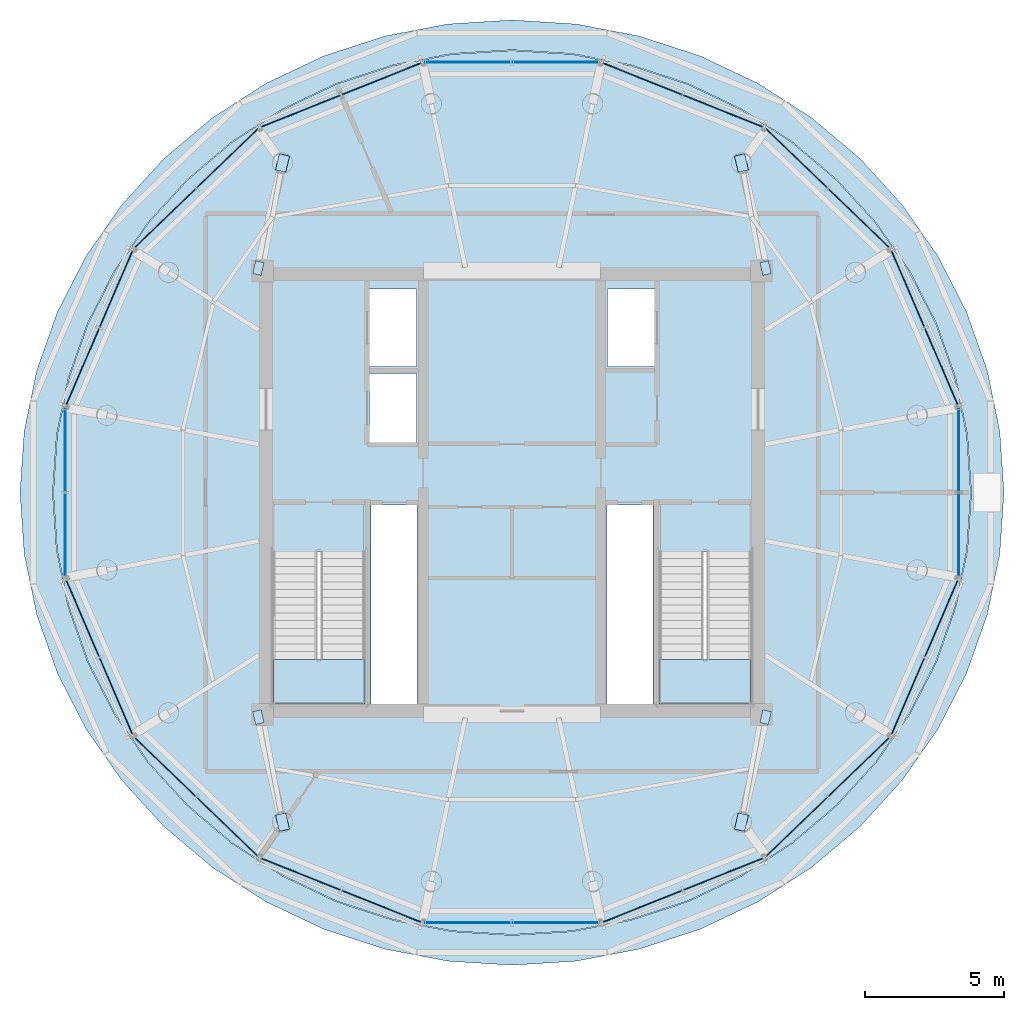
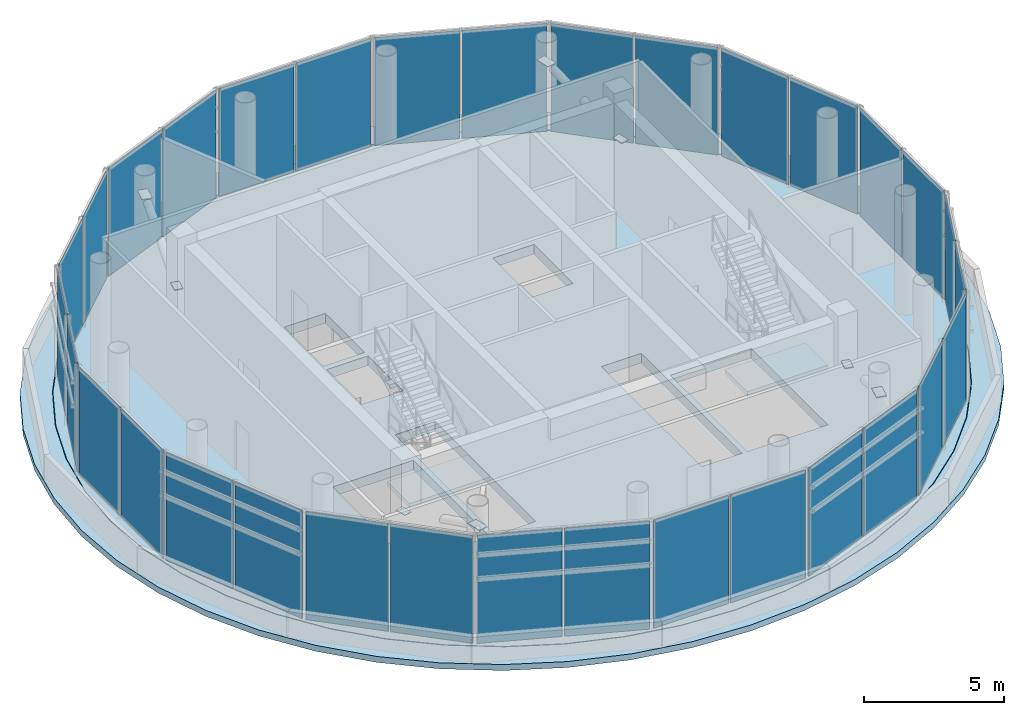
# One storey, part 9 of 14: 40 plates, 4 slabs, 18 elements without a shape of their own.
"""IFC4 building model written with IfcOpenShell, lengths in metres."""

from ifc_helpers import new_model, si_unit, direction, frame, origin, origin_2d, place, context, subcontext, project, spatial, polyline, rectangle, outline, extrude, source, transform, mapped, material, layer, layer_set, type_object, element, aggregate, save


model = new_model("IFC4")

# Units and contexts
model_context = context("Model", 3, precision=1e-05, world=origin(), true_north=direction((-0.2419218956, 0.970295726276)))
body_context = subcontext(model_context, "Body", "Model", "MODEL_VIEW")
ifc_project = project(units=[si_unit("LENGTHUNIT", "METRE"), si_unit("AREAUNIT", "SQUARE_METRE"), si_unit("VOLUMEUNIT", "CUBIC_METRE"), si_unit("PLANEANGLEUNIT", "RADIAN"), si_unit("MASSUNIT", "GRAM", prefix="KILO")], contexts=[model_context])

# Site, building, storey
site_placement = place(None, origin())
site = spatial("IfcSite", under=ifc_project, at=site_placement, CompositionType="ELEMENT")
building_placement = place(site_placement, origin())
building = spatial("IfcBuilding", under=site, at=building_placement, Name="Cobrevalo Terracotta Tower", CompositionType="ELEMENT")
storey_placement = place(building_placement, frame((0.0, 0.0, 321.699951171875)))
storey = spatial("IfcBuildingStorey", under=building, at=storey_placement, Name="L83", CompositionType="ELEMENT", Elevation=321.699951171875)

# Slab
ifc_material_1 = material(Name="Concrete C50", Category="concrete")
ifc_layer_1 = layer(ifc_material_1, 0.419921875)
ifc_layer_set_1 = layer_set([ifc_layer_1], Name="Concrete C50")
slab_type_1 = type_object("IfcSlabType", Name="Crown transfer mechanical deck 420 mm", PredefinedType="FLOOR", material=ifc_layer_set_1)
slab_1_placement = place(storey_placement, frame((0.0, 0.0, -0.419921875)))
element("IfcSlab", 1, at=slab_1_placement, inside=storey, type_object=slab_type_1, Name="L83 indoor elliptical floor slab", PredefinedType="FLOOR", context=body_context, shape_type="SweptSolid", body=[
    extrude(outline(polyline([(54.408447265625, 24.718017578125), (53.986083984375, 22.671875), (53.290283203125, 20.6962890625), (52.332763671875, 18.824951171875), (51.1298828125, 17.09033203125), (49.70263671875, 15.521728515625), (48.074951171875, 14.14599609375), (46.27490234375, 12.98681640625), (44.33349609375, 12.064208984375), (42.283447265625, 11.3935546875), (40.16015625, 10.986328125), (38.0, 10.85009765625), (35.83984375, 10.986328125), (33.716552734375, 11.3935546875), (31.66650390625, 12.064208984375), (29.72509765625, 12.98681640625), (27.925048828125, 14.14599609375), (26.29736328125, 15.521728515625), (24.8701171875, 17.09033203125), (23.667236328125, 18.824951171875), (22.709716796875, 20.6962890625), (22.013916015625, 22.671875), (21.591552734375, 24.718017578125), (21.449951171875, 26.800048828125), (21.591552734375, 28.8818359375), (22.013916015625, 30.92822265625), (22.709716796875, 32.90380859375), (23.667236328125, 34.77490234375), (24.8701171875, 36.509765625), (26.29736328125, 38.078369140625), (27.925048828125, 39.4541015625), (29.72509765625, 40.613037109375), (31.66650390625, 41.535888671875), (33.716552734375, 42.20654296875), (35.83984375, 42.613525390625), (38.0, 42.75), (40.16015625, 42.613525390625), (42.283447265625, 42.20654296875), (44.33349609375, 41.535888671875), (46.27490234375, 40.613037109375), (48.074951171875, 39.4541015625), (49.70263671875, 38.078369140625), (51.1298828125, 36.509765625), (52.332763671875, 34.77490234375), (53.290283203125, 32.90380859375), (53.986083984375, 30.92822265625), (54.408447265625, 28.8818359375), (54.550048828125, 26.800048828125), (54.408447265625, 24.718017578125)]), holes=[polyline([(32.695068359375, 24.659912109375), (29.375, 24.659912109375), (29.375, 19.175048828125), (32.695068359375, 19.175048828125), (32.695068359375, 24.659912109375)]), polyline([(46.625, 19.175048828125), (46.625, 24.659912109375), (43.304931640625, 24.659912109375), (43.304931640625, 19.175048828125), (46.625, 19.175048828125)]), polyline([(34.574951171875, 26.360107421875), (32.919921875, 26.360107421875), (32.919921875, 19.175048828125), (34.574951171875, 19.175048828125), (34.574951171875, 26.360107421875)]), polyline([(43.080078125, 26.360107421875), (41.425048828125, 26.360107421875), (41.425048828125, 19.175048828125), (43.080078125, 19.175048828125), (43.080078125, 26.360107421875)]), polyline([(34.550048828125, 31.10009765625), (32.85009765625, 31.10009765625), (32.85009765625, 28.60009765625), (34.550048828125, 28.60009765625), (34.550048828125, 31.10009765625)]), polyline([(34.550048828125, 34.14990234375), (32.85009765625, 34.14990234375), (32.85009765625, 31.35009765625), (34.550048828125, 31.35009765625), (34.550048828125, 34.14990234375)]), polyline([(43.14990234375, 34.14990234375), (41.449951171875, 34.14990234375), (41.449951171875, 31.35009765625), (43.14990234375, 31.35009765625), (43.14990234375, 34.14990234375)])]), origin(), (0.0, 0.0, 1.0), 0.419921875),
])

# Stair, slab
stair_type = type_object("IfcStairType", Name="Core protected escape dogleg stair 1600", PredefinedType="HALF_TURN_STAIR", material=ifc_material_1)
stair_1_placement = place(storey_placement, origin())
stair_1 = element("IfcStair", 2, at=stair_1_placement, inside=storey, type_object=stair_type, Name="L83 Protected exit stair ST-1", PredefinedType="HALF_TURN_STAIR")
ifc_layer_2 = layer(ifc_material_1, 0.199951171875)
ifc_layer_set_2 = layer_set([ifc_layer_2], Name="Concrete C50")
slab_type_2 = type_object("IfcSlabType", Name="Reinforced Concrete Stair Landing 200", PredefinedType="LANDING", material=ifc_layer_set_2)
slab_2_placement = place(storey_placement, frame((0.0, 0.0, 2.400146484375)))
slab_2 = element("IfcSlab", 3, at=slab_2_placement, type_object=slab_type_2, Name="ST-1 landing 1", PredefinedType="LANDING", context=body_context, shape_type="SweptSolid", body=[
    extrude(outline(polyline([(29.375, 20.780029296875), (29.375, 19.175048828125), (32.695068359375, 19.175048828125), (32.695068359375, 20.780029296875), (29.375, 20.780029296875)])), origin(), (0.0, 0.0, 1.0), 0.199951171875),
])
aggregate(stair_1, [slab_2])

stair_2_placement = place(storey_placement, origin())
stair_2 = element("IfcStair", 4, at=stair_2_placement, inside=storey, type_object=stair_type, Name="L83 Protected exit stair ST-2", PredefinedType="HALF_TURN_STAIR")
slab_3_placement = place(storey_placement, frame((0.0, 0.0, 2.400146484375)))
slab_3 = element("IfcSlab", 5, at=slab_3_placement, type_object=slab_type_2, Name="ST-2 landing 1", PredefinedType="LANDING", context=body_context, shape_type="SweptSolid", body=[
    extrude(outline(polyline([(43.304931640625, 20.780029296875), (43.304931640625, 19.175048828125), (46.625, 19.175048828125), (46.625, 20.780029296875), (43.304931640625, 20.780029296875)])), origin(), (0.0, 0.0, 1.0), 0.199951171875),
])
aggregate(stair_2, [slab_3])

# Slab
ifc_material_2 = material(Name="Concrete C45", Category="concrete")
ifc_layer_3 = layer(ifc_material_2, 0.260009765625)
ifc_layer_set_3 = layer_set([ifc_layer_3], Name="Concrete C45")
slab_type_3 = type_object("IfcSlabType", Name="Zone setback structural roof slab 260 mm", PredefinedType="ROOF", material=ifc_layer_set_3)
slab_4_placement = place(storey_placement, frame((0.0, 0.0, -0.260009765625)))
element("IfcSlab", 6, at=slab_4_placement, inside=storey, type_object=slab_type_3, Name="L83 zone setback roof collar slab 1", PredefinedType="ROOF", context=body_context, shape_type="SweptSolid", body=[
    extrude(outline(polyline([(55.59814453125, 24.574462890625), (55.145263671875, 22.38720703125), (54.39892578125, 20.275146484375), (53.3720703125, 18.27490234375), (52.08203125, 16.420654296875), (50.551025390625, 14.743896484375), (48.805419921875, 13.2734375), (46.875, 12.0341796875), (44.792724609375, 11.0478515625), (42.593994140625, 10.3310546875), (40.31689453125, 9.895751953125), (38.0, 9.75), (35.68310546875, 9.895751953125), (33.406005859375, 10.3310546875), (31.207275390625, 11.0478515625), (29.125, 12.0341796875), (27.194580078125, 13.2734375), (25.44873046875, 14.743896484375), (23.91796875, 16.420654296875), (22.6279296875, 18.27490234375), (21.60107421875, 20.275146484375), (20.854736328125, 22.38720703125), (20.40185546875, 24.574462890625), (20.25, 26.800048828125), (20.40185546875, 29.025390625), (20.854736328125, 31.212890625), (21.60107421875, 33.32470703125), (22.6279296875, 35.324951171875), (23.91796875, 37.179443359375), (25.44873046875, 38.856201171875), (27.194580078125, 40.32666015625), (29.125, 41.565673828125), (31.207275390625, 42.55224609375), (33.406005859375, 43.26904296875), (35.68310546875, 43.7041015625), (38.0, 43.85009765625), (40.31689453125, 43.7041015625), (42.593994140625, 43.26904296875), (44.792724609375, 42.55224609375), (46.875, 41.565673828125), (48.805419921875, 40.32666015625), (50.551025390625, 38.856201171875), (52.08203125, 37.179443359375), (53.3720703125, 35.324951171875), (54.39892578125, 33.32470703125), (55.145263671875, 31.212890625), (55.59814453125, 29.025390625), (55.75, 26.800048828125), (55.59814453125, 24.574462890625)]), holes=[polyline([(54.42822265625, 28.884521484375), (54.00537109375, 30.933349609375), (53.30859375, 32.911376953125), (52.35009765625, 34.784912109375), (51.145751953125, 36.52197265625), (49.716796875, 38.092529296875), (48.087158203125, 39.469970703125), (46.284912109375, 40.63037109375), (44.341064453125, 41.554443359375), (42.28857421875, 42.225830078125), (40.162841796875, 42.63330078125), (38.0, 42.77001953125), (35.837158203125, 42.63330078125), (33.71142578125, 42.225830078125), (31.658935546875, 41.554443359375), (29.715087890625, 40.63037109375), (27.912841796875, 39.469970703125), (26.283203125, 38.092529296875), (24.854248046875, 36.52197265625), (23.64990234375, 34.784912109375), (22.69140625, 32.911376953125), (21.99462890625, 30.933349609375), (21.57177734375, 28.884521484375), (21.429931640625, 26.800048828125), (21.57177734375, 24.715576171875), (21.99462890625, 22.666748046875), (22.69140625, 20.6884765625), (23.64990234375, 18.81494140625), (24.854248046875, 17.078125), (26.283203125, 15.507568359375), (27.912841796875, 14.130126953125), (29.715087890625, 12.969482421875), (31.658935546875, 12.045654296875), (33.71142578125, 11.374267578125), (35.837158203125, 10.966552734375), (38.0, 10.830078125), (40.162841796875, 10.966552734375), (42.28857421875, 11.374267578125), (44.341064453125, 12.045654296875), (46.284912109375, 12.969482421875), (48.087158203125, 14.130126953125), (49.716796875, 15.507568359375), (51.145751953125, 17.078125), (52.35009765625, 18.81494140625), (53.30859375, 20.6884765625), (54.00537109375, 22.666748046875), (54.42822265625, 24.715576171875), (54.570068359375, 26.800048828125), (54.42822265625, 28.884521484375)])]), origin(), (0.0, 0.0, 1.0), 0.260009765625),
])

# Plates
ifc_material_3 = material(Name="Steel S355", Category="steel")
ifc_layer_4 = layer(ifc_material_3, 0.02490234375)
ifc_layer_set_4 = layer_set([ifc_layer_4], Name="Steel S355")
plate_type_1 = type_object("IfcPlateType", Name="Structural Cap Plate 480x320x25 (Steel S355)", PredefinedType="USERDEFINED", material=ifc_layer_set_4)
shared_shape_1 = source(origin(), body_context, "Body", "SweptSolid", [
    extrude(rectangle(XDim=0.47998046875, YDim=0.320068359375, at=origin_2d()), origin(), (0.0, 0.0, 1.0), 0.02490234375),
])
for number, where, z_axis, x_axis, name in (
    (7, (47.14990234375, 34.89990234375, 2.737548828125), (0.0, 0.0, 1.0), (-0.224221435425, 0.974538222902, 0.0), "L83 hollow end cap plate CAP-CRN0-L83-01"),
    (8, (28.85009765625, 34.89990234375, 2.737548828125), (0.0, 0.0, 1.0), (0.224221435425, 0.974538222902, 0.0), "L83 hollow end cap plate CAP-CRN0-L83-02"),
    (9, (28.85009765625, 18.699951171875, 2.737548828125), (0.0, 0.0, 1.0), (0.224221435425, -0.974538222902, 0.0), "L83 hollow end cap plate CAP-CRN0-L83-03"),
    (10, (47.14990234375, 18.699951171875, 2.737548828125), (0.0, 0.0, 1.0), (-0.224221435425, -0.974538222902, 0.0), "L83 hollow end cap plate CAP-CRN0-L83-04"),
):
    element("IfcPlate", number, at=place(storey_placement, frame(where, z_axis=z_axis, x_axis=x_axis)), inside=storey, type_object=plate_type_1, Name=name, ObjectType="CAP PLATE", PredefinedType="USERDEFINED", context=body_context, shape_type="MappedRepresentation", body=[
        mapped(shared_shape_1, transform((0.0, 0.0, 0.0), scale=1.0)),
    ])
ifc_layer_5 = layer(ifc_material_3, 0.028076171875)
ifc_layer_set_5 = layer_set([ifc_layer_5], Name="Steel S355")
plate_type_2 = type_object("IfcPlateType", Name="Structural Gusset Plate 600x380x28 (Steel S355)", PredefinedType="SHEET", material=ifc_layer_set_5)
shared_shape_2 = source(origin(), body_context, "Body", "SweptSolid", [
    extrude(rectangle(XDim=0.60009765625, YDim=0.3798828125, at=origin_2d()), origin(), (0.0, 0.0, 1.0), 0.028076171875),
])
for number, where, z_axis, x_axis, name in (
    (11, (46.278076171875, 38.68994140625, 4.1162109375), (0.0, 0.0, 1.0), (-0.224221435425, 0.974538222902, 0.0), "L83 hollow end cap plate GUS-CRN1-L83-01"),
    (12, (29.721923828125, 38.68994140625, 4.1162109375), (0.0, 0.0, 1.0), (0.224221435425, 0.974538222902, 0.0), "L83 hollow end cap plate GUS-CRN1-L83-02"),
    (13, (29.721923828125, 14.909912109375, 4.1162109375), (0.0, 0.0, 1.0), (0.224221435425, -0.974538222902, 0.0), "L83 hollow end cap plate GUS-CRN1-L83-03"),
    (14, (46.278076171875, 14.909912109375, 4.1162109375), (0.0, 0.0, 1.0), (-0.224221435425, -0.974538222902, 0.0), "L83 hollow end cap plate GUS-CRN1-L83-04"),
):
    element("IfcPlate", number, at=place(storey_placement, frame(where, z_axis=z_axis, x_axis=x_axis)), inside=storey, type_object=plate_type_2, Name=name, PredefinedType="SHEET", context=body_context, shape_type="MappedRepresentation", body=[
        mapped(shared_shape_2, transform((0.0, 0.0, 0.0), scale=1.0)),
    ])

# Curtain wall, plates
ifc_material_4 = material(Name="Anodized aluminium", Category="aluminium")
curtain_wall_type = type_object("IfcCurtainWallType", Name="Faceted glass-point crown structural glazing system CW-CR", PredefinedType="NOTDEFINED", material=ifc_material_4)
curtain_wall_1_placement = place(storey_placement, origin())
curtain_wall_1 = element("IfcCurtainWall", 15, at=curtain_wall_1_placement, inside=storey, type_object=curtain_wall_type, Name="L83 curtain wall CW-CRN-L83-S01", PredefinedType="NOTDEFINED")
ifc_material_5 = material(Name="Structural laminated low-iron crown glass", Category="glass")
ifc_layer_6 = layer(ifc_material_5, 0.035888671875)
ifc_layer_set_6 = layer_set([ifc_layer_6], Name="Structural laminated low-iron crown glass")
plate_type_3 = type_object("IfcPlateType", Name="Crown faceted low-iron laminated glass panel 36 mm", PredefinedType="CURTAIN_PANEL", material=ifc_layer_set_6)
shared_shape_3 = source(origin(), body_context, "Body", "SweptSolid", [
    extrude(rectangle(XDim=2.985595703125, YDim=0.035888671875, at=origin_2d()), origin(), (0.0, 0.0, 1.0), 4.699951171875),
])
plate_1_placement = place(storey_placement, frame((53.4931640625, 31.333251953125, 0.0400390625), z_axis=(0.0, 0.0, 1.0), x_axis=(-0.394960330504, 0.918698175316, 0.0)))
plate_1 = element("IfcPlate", 16, at=plate_1_placement, type_object=plate_type_3, Name="CW-CRN-L83-S01 glazing panel B01", PredefinedType="CURTAIN_PANEL", context=body_context, shape_type="MappedRepresentation", body=[
    mapped(shared_shape_3, transform((0.0, 0.0, 0.0), scale=1.0)),
])
plate_2_placement = place(storey_placement, frame((52.2822265625, 34.149658203125, 0.0400390625), z_axis=(0.0, 0.0, 1.0), x_axis=(-0.394960330504, 0.918698175316, 0.0)))
plate_2 = element("IfcPlate", 17, at=plate_2_placement, type_object=plate_type_3, Name="CW-CRN-L83-S01 glazing panel B02", PredefinedType="CURTAIN_PANEL", context=body_context, shape_type="MappedRepresentation", body=[
    mapped(shared_shape_3, transform((0.0, 0.0, 0.0), scale=1.0)),
])
aggregate(curtain_wall_1, [plate_1, plate_2])

curtain_wall_2_placement = place(storey_placement, origin())
curtain_wall_2 = element("IfcCurtainWall", 18, at=curtain_wall_2_placement, inside=storey, type_object=curtain_wall_type, Name="L83 curtain wall CW-CRN-L83-S07", PredefinedType="NOTDEFINED")
plate_3_placement = place(storey_placement, frame((23.7177734375, 34.149658203125, 0.0400390625), z_axis=(0.0, 0.0, 1.0), x_axis=(-0.394960330504, -0.918698175316, 0.0)))
plate_3 = element("IfcPlate", 19, at=plate_3_placement, type_object=plate_type_3, Name="CW-CRN-L83-S07 glazing panel B01", PredefinedType="CURTAIN_PANEL", context=body_context, shape_type="MappedRepresentation", body=[
    mapped(shared_shape_3, transform((0.0, 0.0, 0.0), scale=1.0)),
])
plate_4_placement = place(storey_placement, frame((22.5068359375, 31.333251953125, 0.0400390625), z_axis=(0.0, 0.0, 1.0), x_axis=(-0.394960330504, -0.918698175316, 0.0)))
plate_4 = element("IfcPlate", 20, at=plate_4_placement, type_object=plate_type_3, Name="CW-CRN-L83-S07 glazing panel B02", PredefinedType="CURTAIN_PANEL", context=body_context, shape_type="MappedRepresentation", body=[
    mapped(shared_shape_3, transform((0.0, 0.0, 0.0), scale=1.0)),
])
aggregate(curtain_wall_2, [plate_3, plate_4])

curtain_wall_3_placement = place(storey_placement, origin())
curtain_wall_3 = element("IfcCurtainWall", 21, at=curtain_wall_3_placement, inside=storey, type_object=curtain_wall_type, Name="L83 curtain wall CW-CRN-L83-S09", PredefinedType="NOTDEFINED")
plate_5_placement = place(storey_placement, frame((22.5068359375, 22.266845703125, 0.0400390625), z_axis=(0.0, 0.0, 1.0), x_axis=(0.394960330504, -0.918698175316, 0.0)))
plate_5 = element("IfcPlate", 22, at=plate_5_placement, type_object=plate_type_3, Name="CW-CRN-L83-S09 glazing panel B01", PredefinedType="CURTAIN_PANEL", context=body_context, shape_type="MappedRepresentation", body=[
    mapped(shared_shape_3, transform((0.0, 0.0, 0.0), scale=1.0)),
])
plate_6_placement = place(storey_placement, frame((23.7177734375, 19.4501953125, 0.0400390625), z_axis=(0.0, 0.0, 1.0), x_axis=(0.394960330504, -0.918698175316, 0.0)))
plate_6 = element("IfcPlate", 23, at=plate_6_placement, type_object=plate_type_3, Name="CW-CRN-L83-S09 glazing panel B02", PredefinedType="CURTAIN_PANEL", context=body_context, shape_type="MappedRepresentation", body=[
    mapped(shared_shape_3, transform((0.0, 0.0, 0.0), scale=1.0)),
])
aggregate(curtain_wall_3, [plate_5, plate_6])

curtain_wall_4_placement = place(storey_placement, origin())
curtain_wall_4 = element("IfcCurtainWall", 24, at=curtain_wall_4_placement, inside=storey, type_object=curtain_wall_type, Name="L83 curtain wall CW-CRN-L83-S15", PredefinedType="NOTDEFINED")
plate_7_placement = place(storey_placement, frame((52.2822265625, 19.4501953125, 0.0400390625), z_axis=(0.0, 0.0, 1.0), x_axis=(0.394960330504, 0.918698175316, 0.0)))
plate_7 = element("IfcPlate", 25, at=plate_7_placement, type_object=plate_type_3, Name="CW-CRN-L83-S15 glazing panel B01", PredefinedType="CURTAIN_PANEL", context=body_context, shape_type="MappedRepresentation", body=[
    mapped(shared_shape_3, transform((0.0, 0.0, 0.0), scale=1.0)),
])
plate_8_placement = place(storey_placement, frame((53.4931640625, 22.266845703125, 0.0400390625), z_axis=(0.0, 0.0, 1.0), x_axis=(0.394960330504, 0.918698175316, 0.0)))
plate_8 = element("IfcPlate", 26, at=plate_8_placement, type_object=plate_type_3, Name="CW-CRN-L83-S15 glazing panel B02", PredefinedType="CURTAIN_PANEL", context=body_context, shape_type="MappedRepresentation", body=[
    mapped(shared_shape_3, transform((0.0, 0.0, 0.0), scale=1.0)),
])
aggregate(curtain_wall_4, [plate_7, plate_8])

curtain_wall_5_placement = place(storey_placement, origin())
curtain_wall_5 = element("IfcCurtainWall", 27, at=curtain_wall_5_placement, inside=storey, type_object=curtain_wall_type, Name="L83 curtain wall CW-CRN-L83-S02", PredefinedType="NOTDEFINED")
shared_shape_4 = source(origin(), body_context, "Body", "SweptSolid", [
    extrude(rectangle(XDim=3.02734375, YDim=0.035888671875, at=origin_2d()), origin(), (0.0, 0.0, 1.0), 4.699951171875),
])
plate_9_placement = place(storey_placement, frame((50.513427734375, 36.700439453125, 0.0400390625), z_axis=(0.0, 0.0, 1.0), x_axis=(-0.72013345708, 0.693835574178, 0.0)))
plate_9 = element("IfcPlate", 28, at=plate_9_placement, type_object=plate_type_3, Name="CW-CRN-L83-S02 glazing panel B01", PredefinedType="CURTAIN_PANEL", context=body_context, shape_type="MappedRepresentation", body=[
    mapped(shared_shape_4, transform((0.0, 0.0, 0.0), scale=1.0)),
])
plate_10_placement = place(storey_placement, frame((48.275634765625, 38.8564453125, 0.0400390625), z_axis=(0.0, 0.0, 1.0), x_axis=(-0.72013345708, 0.693835574178, 0.0)))
plate_10 = element("IfcPlate", 29, at=plate_10_placement, type_object=plate_type_3, Name="CW-CRN-L83-S02 glazing panel B02", PredefinedType="CURTAIN_PANEL", context=body_context, shape_type="MappedRepresentation", body=[
    mapped(shared_shape_4, transform((0.0, 0.0, 0.0), scale=1.0)),
])
aggregate(curtain_wall_5, [plate_9, plate_10])

curtain_wall_6_placement = place(storey_placement, origin())
curtain_wall_6 = element("IfcCurtainWall", 30, at=curtain_wall_6_placement, inside=storey, type_object=curtain_wall_type, Name="L83 curtain wall CW-CRN-L83-S06", PredefinedType="NOTDEFINED")
plate_11_placement = place(storey_placement, frame((27.724365234375, 38.8564453125, 0.0400390625), z_axis=(0.0, 0.0, 1.0), x_axis=(-0.72013345708, -0.693835574178, 0.0)))
plate_11 = element("IfcPlate", 31, at=plate_11_placement, type_object=plate_type_3, Name="CW-CRN-L83-S06 glazing panel B01", PredefinedType="CURTAIN_PANEL", context=body_context, shape_type="MappedRepresentation", body=[
    mapped(shared_shape_4, transform((0.0, 0.0, 0.0), scale=1.0)),
])
plate_12_placement = place(storey_placement, frame((25.486572265625, 36.700439453125, 0.0400390625), z_axis=(0.0, 0.0, 1.0), x_axis=(-0.72013345708, -0.693835574178, 0.0)))
plate_12 = element("IfcPlate", 32, at=plate_12_placement, type_object=plate_type_3, Name="CW-CRN-L83-S06 glazing panel B02", PredefinedType="CURTAIN_PANEL", context=body_context, shape_type="MappedRepresentation", body=[
    mapped(shared_shape_4, transform((0.0, 0.0, 0.0), scale=1.0)),
])
aggregate(curtain_wall_6, [plate_11, plate_12])

curtain_wall_7_placement = place(storey_placement, origin())
curtain_wall_7 = element("IfcCurtainWall", 33, at=curtain_wall_7_placement, inside=storey, type_object=curtain_wall_type, Name="L83 curtain wall CW-CRN-L83-S10", PredefinedType="NOTDEFINED")
plate_13_placement = place(storey_placement, frame((25.486572265625, 16.899658203125, 0.0400390625), z_axis=(0.0, 0.0, 1.0), x_axis=(0.72013345708, -0.693835574178, 0.0)))
plate_13 = element("IfcPlate", 34, at=plate_13_placement, type_object=plate_type_3, Name="CW-CRN-L83-S10 glazing panel B01", PredefinedType="CURTAIN_PANEL", context=body_context, shape_type="MappedRepresentation", body=[
    mapped(shared_shape_4, transform((0.0, 0.0, 0.0), scale=1.0)),
])
plate_14_placement = place(storey_placement, frame((27.724365234375, 14.74365234375, 0.0400390625), z_axis=(0.0, 0.0, 1.0), x_axis=(0.72013345708, -0.693835574178, 0.0)))
plate_14 = element("IfcPlate", 35, at=plate_14_placement, type_object=plate_type_3, Name="CW-CRN-L83-S10 glazing panel B02", PredefinedType="CURTAIN_PANEL", context=body_context, shape_type="MappedRepresentation", body=[
    mapped(shared_shape_4, transform((0.0, 0.0, 0.0), scale=1.0)),
])
aggregate(curtain_wall_7, [plate_13, plate_14])

curtain_wall_8_placement = place(storey_placement, origin())
curtain_wall_8 = element("IfcCurtainWall", 36, at=curtain_wall_8_placement, inside=storey, type_object=curtain_wall_type, Name="L83 curtain wall CW-CRN-L83-S14", PredefinedType="NOTDEFINED")
plate_15_placement = place(storey_placement, frame((48.275634765625, 14.74365234375, 0.0400390625), z_axis=(0.0, 0.0, 1.0), x_axis=(0.72013345708, 0.693835574178, 0.0)))
plate_15 = element("IfcPlate", 37, at=plate_15_placement, type_object=plate_type_3, Name="CW-CRN-L83-S14 glazing panel B01", PredefinedType="CURTAIN_PANEL", context=body_context, shape_type="MappedRepresentation", body=[
    mapped(shared_shape_4, transform((0.0, 0.0, 0.0), scale=1.0)),
])
plate_16_placement = place(storey_placement, frame((50.513427734375, 16.899658203125, 0.0400390625), z_axis=(0.0, 0.0, 1.0), x_axis=(0.72013345708, 0.693835574178, 0.0)))
plate_16 = element("IfcPlate", 38, at=plate_16_placement, type_object=plate_type_3, Name="CW-CRN-L83-S14 glazing panel B02", PredefinedType="CURTAIN_PANEL", context=body_context, shape_type="MappedRepresentation", body=[
    mapped(shared_shape_4, transform((0.0, 0.0, 0.0), scale=1.0)),
])
aggregate(curtain_wall_8, [plate_15, plate_16])

curtain_wall_9_placement = place(storey_placement, origin())
curtain_wall_9 = element("IfcCurtainWall", 39, at=curtain_wall_9_placement, inside=storey, type_object=curtain_wall_type, Name="L83 curtain wall CW-CRN-L83-S03", PredefinedType="NOTDEFINED")
shared_shape_5 = source(origin(), body_context, "Body", "SweptSolid", [
    extrude(rectangle(XDim=3.068603515625, YDim=0.035888671875, at=origin_2d()), origin(), (0.0, 0.0, 1.0), 4.699951171875),
])
plate_17_placement = place(storey_placement, frame((45.628662109375, 40.560546875, 0.0400390625), z_axis=(0.0, 0.0, 1.0), x_axis=(-0.928768802339, 0.370659563214, 0.0)))
plate_17 = element("IfcPlate", 40, at=plate_17_placement, type_object=plate_type_3, Name="CW-CRN-L83-S03 glazing panel B01", PredefinedType="CURTAIN_PANEL", context=body_context, shape_type="MappedRepresentation", body=[
    mapped(shared_shape_5, transform((0.0, 0.0, 0.0), scale=1.0)),
])
plate_18_placement = place(storey_placement, frame((42.70458984375, 41.7275390625, 0.0400390625), z_axis=(0.0, 0.0, 1.0), x_axis=(-0.928768802339, 0.370659563214, 0.0)))
plate_18 = element("IfcPlate", 41, at=plate_18_placement, type_object=plate_type_3, Name="CW-CRN-L83-S03 glazing panel B02", PredefinedType="CURTAIN_PANEL", context=body_context, shape_type="MappedRepresentation", body=[
    mapped(shared_shape_5, transform((0.0, 0.0, 0.0), scale=1.0)),
])
aggregate(curtain_wall_9, [plate_17, plate_18])

curtain_wall_10_placement = place(storey_placement, origin())
curtain_wall_10 = element("IfcCurtainWall", 42, at=curtain_wall_10_placement, inside=storey, type_object=curtain_wall_type, Name="L83 curtain wall CW-CRN-L83-S05", PredefinedType="NOTDEFINED")
plate_19_placement = place(storey_placement, frame((33.29541015625, 41.7275390625, 0.0400390625), z_axis=(0.0, 0.0, 1.0), x_axis=(-0.928768802339, -0.370659563214, 0.0)))
plate_19 = element("IfcPlate", 43, at=plate_19_placement, type_object=plate_type_3, Name="CW-CRN-L83-S05 glazing panel B01", PredefinedType="CURTAIN_PANEL", context=body_context, shape_type="MappedRepresentation", body=[
    mapped(shared_shape_5, transform((0.0, 0.0, 0.0), scale=1.0)),
])
plate_20_placement = place(storey_placement, frame((30.371337890625, 40.560546875, 0.0400390625), z_axis=(0.0, 0.0, 1.0), x_axis=(-0.928768802339, -0.370659563214, 0.0)))
plate_20 = element("IfcPlate", 44, at=plate_20_placement, type_object=plate_type_3, Name="CW-CRN-L83-S05 glazing panel B02", PredefinedType="CURTAIN_PANEL", context=body_context, shape_type="MappedRepresentation", body=[
    mapped(shared_shape_5, transform((0.0, 0.0, 0.0), scale=1.0)),
])
aggregate(curtain_wall_10, [plate_19, plate_20])

curtain_wall_11_placement = place(storey_placement, origin())
curtain_wall_11 = element("IfcCurtainWall", 45, at=curtain_wall_11_placement, inside=storey, type_object=curtain_wall_type, Name="L83 curtain wall CW-CRN-L83-S11", PredefinedType="NOTDEFINED")
plate_21_placement = place(storey_placement, frame((30.371337890625, 13.03955078125, 0.0400390625), z_axis=(0.0, 0.0, 1.0), x_axis=(0.928768802339, -0.370659563214, 0.0)))
plate_21 = element("IfcPlate", 46, at=plate_21_placement, type_object=plate_type_3, Name="CW-CRN-L83-S11 glazing panel B01", PredefinedType="CURTAIN_PANEL", context=body_context, shape_type="MappedRepresentation", body=[
    mapped(shared_shape_5, transform((0.0, 0.0, 0.0), scale=1.0)),
])
plate_22_placement = place(storey_placement, frame((33.29541015625, 11.87255859375, 0.0400390625), z_axis=(0.0, 0.0, 1.0), x_axis=(0.928768802339, -0.370659563214, 0.0)))
plate_22 = element("IfcPlate", 47, at=plate_22_placement, type_object=plate_type_3, Name="CW-CRN-L83-S11 glazing panel B02", PredefinedType="CURTAIN_PANEL", context=body_context, shape_type="MappedRepresentation", body=[
    mapped(shared_shape_5, transform((0.0, 0.0, 0.0), scale=1.0)),
])
aggregate(curtain_wall_11, [plate_21, plate_22])

curtain_wall_12_placement = place(storey_placement, origin())
curtain_wall_12 = element("IfcCurtainWall", 48, at=curtain_wall_12_placement, inside=storey, type_object=curtain_wall_type, Name="L83 curtain wall CW-CRN-L83-S13", PredefinedType="NOTDEFINED")
plate_23_placement = place(storey_placement, frame((42.70458984375, 11.87255859375, 0.0400390625), z_axis=(0.0, 0.0, 1.0), x_axis=(0.928768802339, 0.370659563214, 0.0)))
plate_23 = element("IfcPlate", 49, at=plate_23_placement, type_object=plate_type_3, Name="CW-CRN-L83-S13 glazing panel B01", PredefinedType="CURTAIN_PANEL", context=body_context, shape_type="MappedRepresentation", body=[
    mapped(shared_shape_5, transform((0.0, 0.0, 0.0), scale=1.0)),
])
plate_24_placement = place(storey_placement, frame((45.628662109375, 13.03955078125, 0.0400390625), z_axis=(0.0, 0.0, 1.0), x_axis=(0.928768802339, 0.370659563214, 0.0)))
plate_24 = element("IfcPlate", 50, at=plate_24_placement, type_object=plate_type_3, Name="CW-CRN-L83-S13 glazing panel B02", PredefinedType="CURTAIN_PANEL", context=body_context, shape_type="MappedRepresentation", body=[
    mapped(shared_shape_5, transform((0.0, 0.0, 0.0), scale=1.0)),
])
aggregate(curtain_wall_12, [plate_23, plate_24])

curtain_wall_13_placement = place(storey_placement, origin())
curtain_wall_13 = element("IfcCurtainWall", 51, at=curtain_wall_13_placement, inside=storey, type_object=curtain_wall_type, Name="L83 curtain wall CW-CRN-L83-S04", PredefinedType="NOTDEFINED")
shared_shape_6 = source(origin(), body_context, "Body", "SweptSolid", [
    extrude(rectangle(XDim=3.085205078125, YDim=0.035888671875, at=origin_2d()), origin(), (0.0, 0.0, 1.0), 4.699951171875),
])
plate_25_placement = place(storey_placement, frame((39.582763671875, 42.325927734375, 0.0400390625), z_axis=(0.0, 0.0, 1.0), x_axis=(-1.0, 0.0, 0.0)))
plate_25 = element("IfcPlate", 52, at=plate_25_placement, type_object=plate_type_3, Name="CW-CRN-L83-S04 glazing panel B01", PredefinedType="CURTAIN_PANEL", context=body_context, shape_type="MappedRepresentation", body=[
    mapped(shared_shape_6, transform((0.0, 0.0, 0.0), scale=1.0)),
])
plate_26_placement = place(storey_placement, frame((36.417236328125, 42.325927734375, 0.0400390625), z_axis=(0.0, 0.0, 1.0), x_axis=(-1.0, 0.0, 0.0)))
plate_26 = element("IfcPlate", 53, at=plate_26_placement, type_object=plate_type_3, Name="CW-CRN-L83-S04 glazing panel B02", PredefinedType="CURTAIN_PANEL", context=body_context, shape_type="MappedRepresentation", body=[
    mapped(shared_shape_6, transform((0.0, 0.0, 0.0), scale=1.0)),
])
aggregate(curtain_wall_13, [plate_25, plate_26])

curtain_wall_14_placement = place(storey_placement, origin())
curtain_wall_14 = element("IfcCurtainWall", 54, at=curtain_wall_14_placement, inside=storey, type_object=curtain_wall_type, Name="L83 curtain wall CW-CRN-L83-S12", PredefinedType="NOTDEFINED")
plate_27_placement = place(storey_placement, frame((36.417236328125, 11.274169921875, 0.0400390625), z_axis=(0.0, 0.0, 1.0), x_axis=(1.0, 0.0, 0.0)))
plate_27 = element("IfcPlate", 55, at=plate_27_placement, type_object=plate_type_3, Name="CW-CRN-L83-S12 glazing panel B01", PredefinedType="CURTAIN_PANEL", context=body_context, shape_type="MappedRepresentation", body=[
    mapped(shared_shape_6, transform((0.0, 0.0, 0.0), scale=1.0)),
])
plate_28_placement = place(storey_placement, frame((39.582763671875, 11.274169921875, 0.0400390625), z_axis=(0.0, 0.0, 1.0), x_axis=(1.0, 0.0, 0.0)))
plate_28 = element("IfcPlate", 56, at=plate_28_placement, type_object=plate_type_3, Name="CW-CRN-L83-S12 glazing panel B02", PredefinedType="CURTAIN_PANEL", context=body_context, shape_type="MappedRepresentation", body=[
    mapped(shared_shape_6, transform((0.0, 0.0, 0.0), scale=1.0)),
])
aggregate(curtain_wall_14, [plate_27, plate_28])

curtain_wall_15_placement = place(storey_placement, origin())
curtain_wall_15 = element("IfcCurtainWall", 57, at=curtain_wall_15_placement, inside=storey, type_object=curtain_wall_type, Name="L83 curtain wall CW-CRN-L83-S08", PredefinedType="NOTDEFINED")
shared_shape_7 = source(origin(), body_context, "Body", "SweptSolid", [
    extrude(rectangle(XDim=2.96826171875, YDim=0.035888671875, at=origin_2d()), origin(), (0.0, 0.0, 1.0), 4.699951171875),
])
plate_29_placement = place(storey_placement, frame((21.8857421875, 28.32421875, 0.0400390625), z_axis=(0.0, 0.0, 1.0), x_axis=(0.0, -1.0, 0.0)))
plate_29 = element("IfcPlate", 58, at=plate_29_placement, type_object=plate_type_3, Name="CW-CRN-L83-S08 glazing panel B01", PredefinedType="CURTAIN_PANEL", context=body_context, shape_type="MappedRepresentation", body=[
    mapped(shared_shape_7, transform((0.0, 0.0, 0.0), scale=1.0)),
])
plate_30_placement = place(storey_placement, frame((21.8857421875, 25.27587890625, 0.0400390625), z_axis=(0.0, 0.0, 1.0), x_axis=(0.0, -1.0, 0.0)))
plate_30 = element("IfcPlate", 59, at=plate_30_placement, type_object=plate_type_3, Name="CW-CRN-L83-S08 glazing panel B02", PredefinedType="CURTAIN_PANEL", context=body_context, shape_type="MappedRepresentation", body=[
    mapped(shared_shape_7, transform((0.0, 0.0, 0.0), scale=1.0)),
])
aggregate(curtain_wall_15, [plate_29, plate_30])

curtain_wall_16_placement = place(storey_placement, origin())
curtain_wall_16 = element("IfcCurtainWall", 60, at=curtain_wall_16_placement, inside=storey, type_object=curtain_wall_type, Name="L83 curtain wall CW-CRN-L83-S16", PredefinedType="NOTDEFINED")
plate_31_placement = place(storey_placement, frame((54.1142578125, 25.27587890625, 0.0400390625), z_axis=(0.0, 0.0, 1.0), x_axis=(0.0, 1.0, 0.0)))
plate_31 = element("IfcPlate", 61, at=plate_31_placement, type_object=plate_type_3, Name="CW-CRN-L83-S16 glazing panel B01", PredefinedType="CURTAIN_PANEL", context=body_context, shape_type="MappedRepresentation", body=[
    mapped(shared_shape_7, transform((0.0, 0.0, 0.0), scale=1.0)),
])
plate_32_placement = place(storey_placement, frame((54.1142578125, 28.32421875, 0.0400390625), z_axis=(0.0, 0.0, 1.0), x_axis=(0.0, 1.0, 0.0)))
plate_32 = element("IfcPlate", 62, at=plate_32_placement, type_object=plate_type_3, Name="CW-CRN-L83-S16 glazing panel B02", PredefinedType="CURTAIN_PANEL", context=body_context, shape_type="MappedRepresentation", body=[
    mapped(shared_shape_7, transform((0.0, 0.0, 0.0), scale=1.0)),
])
aggregate(curtain_wall_16, [plate_31, plate_32])

save(model, "model.ifc")
